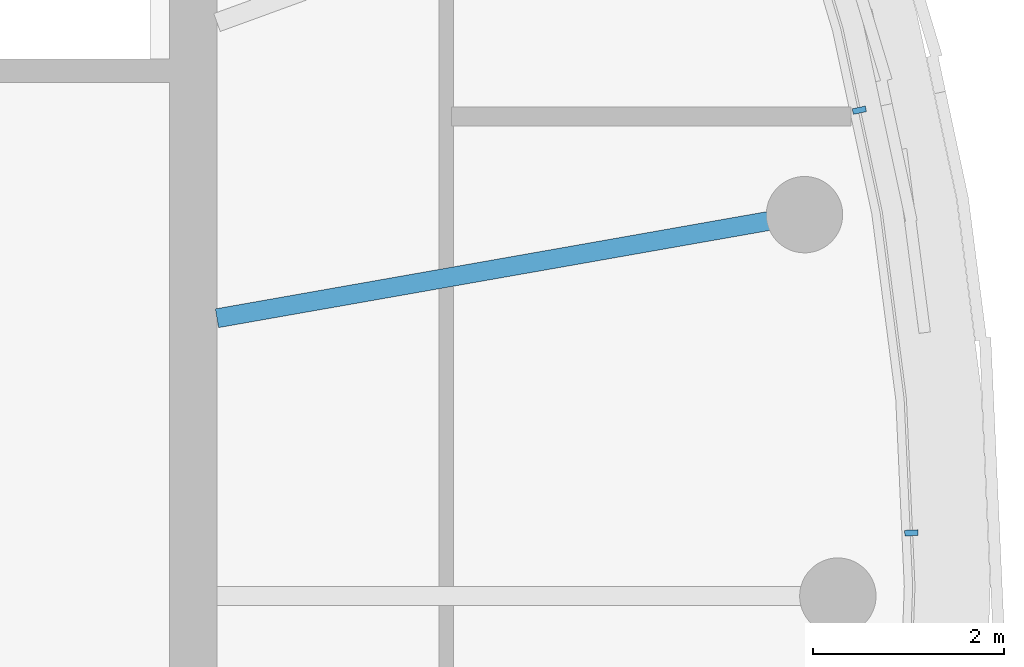
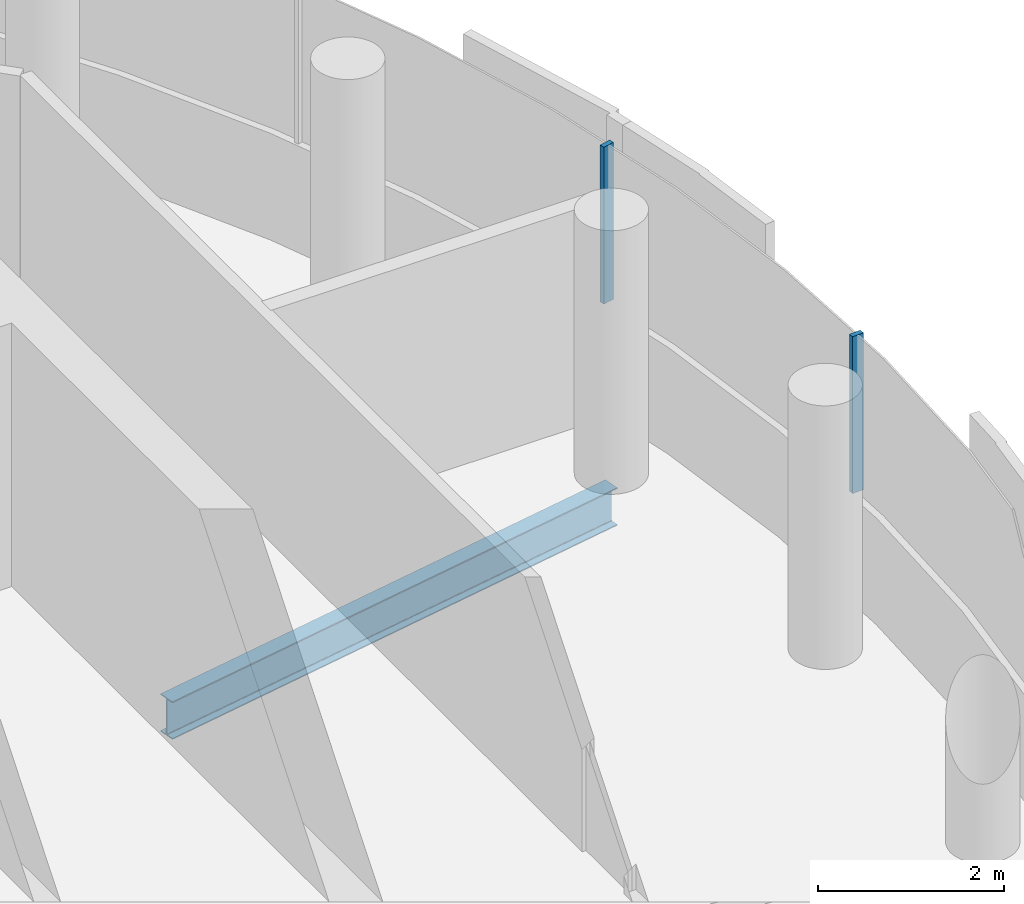
# One storey, part 8 of 21: 2 members, 1 beam, 1 element without a shape of its own.
"""IFC4 building model written with IfcOpenShell, lengths in metres."""

from ifc_helpers import new_model, si_unit, direction, frame, origin, origin_2d, place, context, subcontext, project, spatial, rectangle, i_section, extrude, material, layer, layer_set, material_profile, profile_set, type_object, element, aggregate, save


model = new_model("IFC4")

# Units and contexts
model_context = context("Model", 3, precision=1e-05, world=origin(), true_north=direction((0.0, 1.0)))
body_context = subcontext(model_context, "Body", "Model", "MODEL_VIEW")
ifc_project = project(units=[si_unit("LENGTHUNIT", "METRE"), si_unit("AREAUNIT", "SQUARE_METRE"), si_unit("VOLUMEUNIT", "CUBIC_METRE"), si_unit("PLANEANGLEUNIT", "RADIAN"), si_unit("MASSUNIT", "GRAM", prefix="KILO")], contexts=[model_context])

# Site, building, storey
site_placement = place(None, origin())
site = spatial("IfcSite", under=ifc_project, at=site_placement, CompositionType="ELEMENT")
building_placement = place(site_placement, origin())
building = spatial("IfcBuilding", under=site, at=building_placement, Name="Tamarind Cross Interchange Tower", CompositionType="ELEMENT")
storey_placement = place(building_placement, frame((0.0, 0.0, 264.0)))
storey = spatial("IfcBuildingStorey", under=building, at=storey_placement, Name="L67", CompositionType="ELEMENT", Elevation=264.0)

# Beam
ifc_material_1 = material(Name="Steel Q355B", Category="steel")
ifc_material_profile_1 = material_profile(ifc_material_1, i_section(OverallWidth=0.198974609375, OverallDepth=0.49609375, WebThickness=0.009033203125, FlangeThickness=0.013916015625, FilletRadius=0.012939453125, at=origin_2d()), Name="HN 496x199x9x14")
ifc_profile_set_1 = profile_set([ifc_material_profile_1], Name="Steel Q355B")
beam_type = type_object("IfcBeamType", Name="Composite beam HN 496x199x9x14 Q355B", PredefinedType="BEAM", material=ifc_profile_set_1)
beam_placement = place(storey_placement, frame((22.650634765625, 3.993896484375, -0.387939453125), z_axis=(-0.984809127561, -0.173640382036, 0.0), x_axis=(0.173640382036, -0.984809127561, 0.0)))
element("IfcBeam", 1, at=beam_placement, inside=storey, type_object=beam_type, Name="Beam HH01", PredefinedType="BEAM", context=body_context, shape_type="SweptSolid", body=[
    extrude(i_section(OverallWidth=0.198974609375, OverallDepth=0.49609375, WebThickness=0.009033203125, FlangeThickness=0.013916015625, FilletRadius=0.012939453125, at=origin_2d()), origin(), (0.0, 0.0, 1.0), 6.24560546875),
])

# Curtain wall, members
ifc_material_2 = material(Name="Aluminium 6063-T6", Category="aluminium")
ifc_layer = layer(ifc_material_2, 0.139892578125)
ifc_layer_set = layer_set([ifc_layer], Name="Aluminium 6063-T6")
curtain_wall_type = type_object("IfcCurtainWallType", Name="Hotel curtain wall, 4.5 m bays", PredefinedType="NOTDEFINED", material=ifc_layer_set)
curtain_wall_placement = place(storey_placement, origin())
curtain_wall = element("IfcCurtainWall", 2, at=curtain_wall_placement, inside=storey, type_object=curtain_wall_type, Name="CWS-L67-01", PredefinedType="NOTDEFINED")
ifc_material_profile_2 = material_profile(ifc_material_2, rectangle(XDim=0.06005859375, YDim=0.139892578125, at=origin_2d()), Name="Mullion CW2")
ifc_profile_set_2 = profile_set([ifc_material_profile_2], Name="Aluminium 6063-T6")
member_type = type_object("IfcMemberType", Name="Mullion CW2", PredefinedType="MULLION", material=ifc_profile_set_2)
member_1_placement = place(storey_placement, frame((23.77001953125, 0.662109375, 1.39990234375), z_axis=(0.0, 0.0, 1.0), x_axis=(-0.045624486728, 0.998958660912, 0.0)))
member_1 = element("IfcMember", 3, at=member_1_placement, type_object=member_type, Name="CWM-L67-01-22", PredefinedType="MULLION", context=body_context, shape_type="SweptSolid", body=[
    extrude(rectangle(XDim=0.06005859375, YDim=0.139892578125, at=origin_2d()), origin(), (0.0, 0.0, 1.0), 2.06005859375),
])
member_2_placement = place(storey_placement, frame((23.22509765625, 5.08740234375, 1.39990234375), z_axis=(0.0, 0.0, 1.0), x_axis=(-0.209425419705, 0.977824623121, 0.0)))
member_2 = element("IfcMember", 4, at=member_2_placement, type_object=member_type, Name="CWM-L67-01-23", PredefinedType="MULLION", context=body_context, shape_type="SweptSolid", body=[
    extrude(rectangle(XDim=0.06005859375, YDim=0.139892578125, at=origin_2d()), origin(), (0.0, 0.0, 1.0), 2.06005859375),
])
aggregate(curtain_wall, [member_1, member_2])

save(model, "model.ifc")
